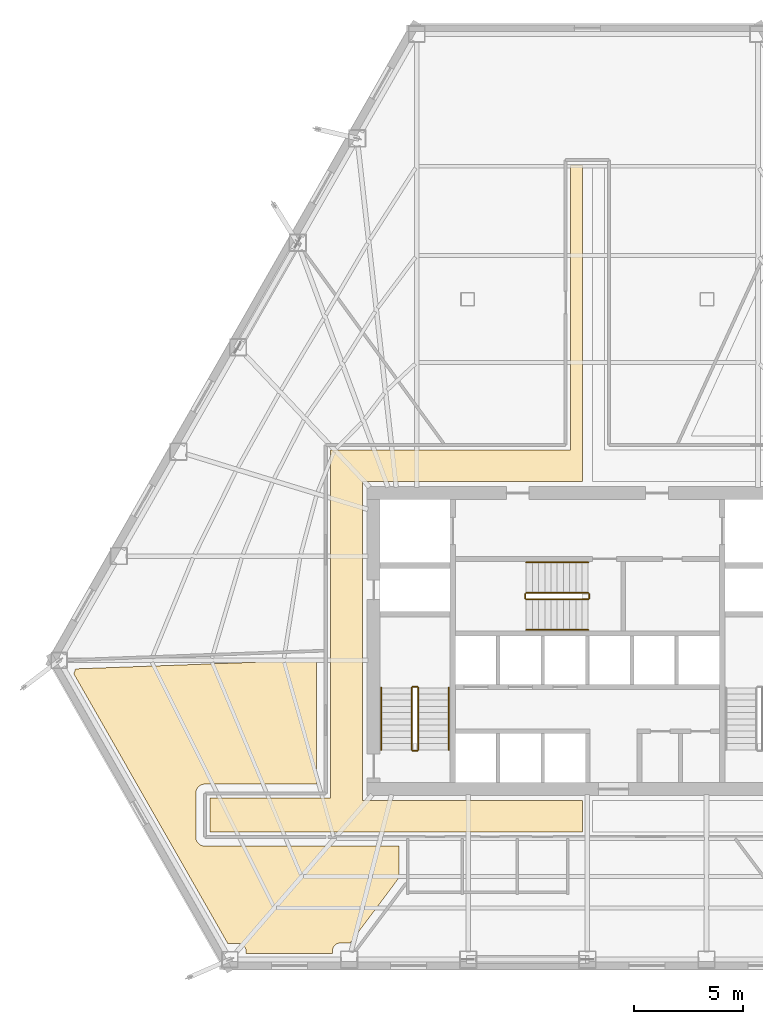
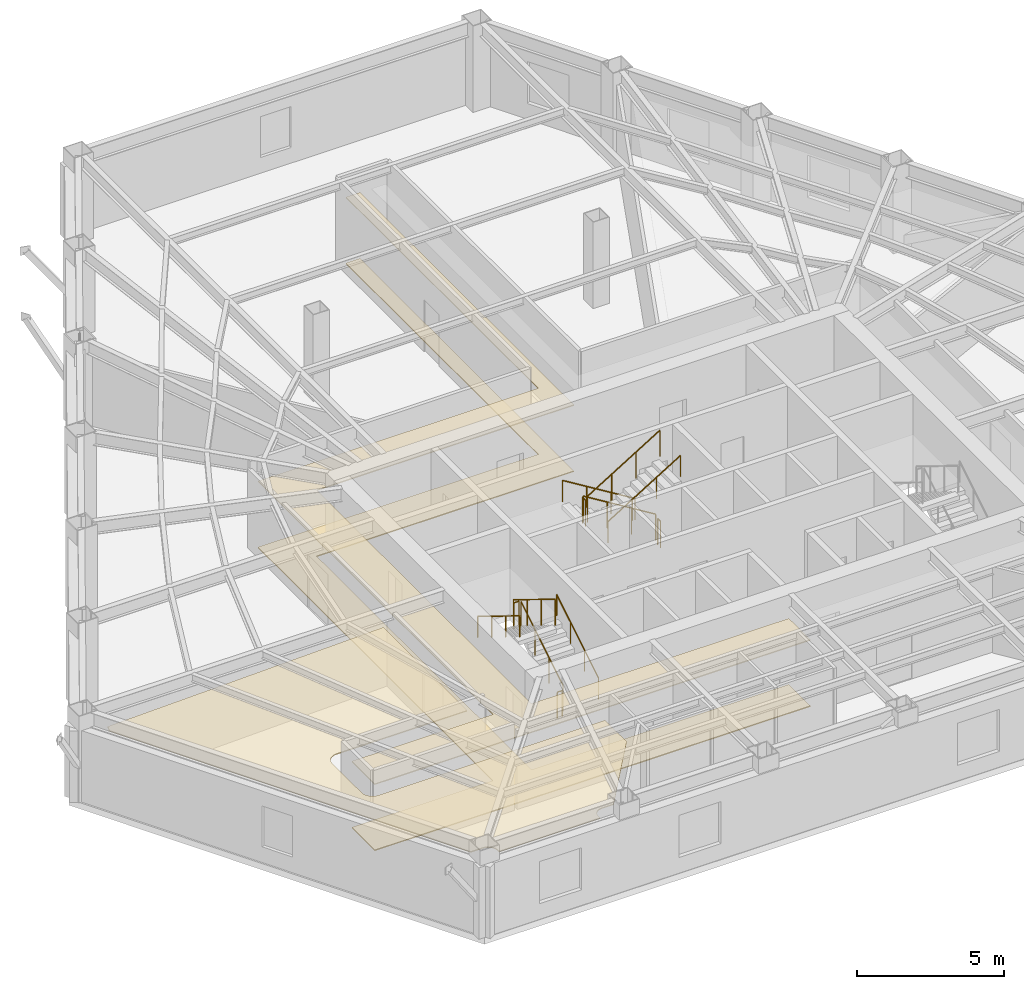
# One storey, part 11 of 12: 12 railings, 3 coverings.
"""IFC4 building model written with IfcOpenShell, lengths in metres."""

from ifc_helpers import new_model, si_unit, direction, frame, origin, origin_2d, place, context, subcontext, project, spatial, polyline, circle, outline, extrude, material, layer, layer_set, type_object, element, save


model = new_model("IFC4")

# Units and contexts
model_context = context("Model", 3, precision=1e-05, world=origin(), true_north=direction((0.0, 1.0)))
body_context = subcontext(model_context, "Body", "Model", "MODEL_VIEW")
ifc_project = project(units=[si_unit("LENGTHUNIT", "METRE"), si_unit("AREAUNIT", "SQUARE_METRE"), si_unit("VOLUMEUNIT", "CUBIC_METRE"), si_unit("PLANEANGLEUNIT", "RADIAN"), si_unit("MASSUNIT", "GRAM", prefix="KILO")], contexts=[model_context])

# Site, building, storey
site_placement = place(None, origin())
site = spatial("IfcSite", under=ifc_project, at=site_placement, CompositionType="ELEMENT")
building_placement = place(site_placement, origin())
building = spatial("IfcBuilding", under=site, at=building_placement, Name="Kavelnor Concourse Tower", CompositionType="ELEMENT")
storey_placement = place(building_placement, frame((0.0, 0.0, 29.10009765625)))
storey = spatial("IfcBuildingStorey", under=building, at=storey_placement, Name="L07", CompositionType="ELEMENT", Elevation=29.10009765625)

# Coverings
ifc_material_1 = material(Name="Mineral fibre acoustic ceiling tile")
ifc_layer_1 = layer(ifc_material_1, 0.0400390625, Name="Mineral fibre acoustic ceiling tile")
ifc_layer_set_1 = layer_set([ifc_layer_1], Name="Mineral fibre acoustic ceiling tile")
covering_type_1 = type_object("IfcCoveringType", Name="COV-CEILING-ACOUSTIC", PredefinedType="CEILING", material=ifc_layer_set_1)
covering_1_placement = place(storey_placement, frame((0.0, 0.0, 2.75)))
element("IfcCovering", 1, at=covering_1_placement, inside=storey, type_object=covering_type_1, Name="L07 Suspended Acoustic Ceiling", PredefinedType="CEILING", context=body_context, shape_type="SweptSolid", body=[
    extrude(outline(polyline([(37.219970703125, 37.97998046875), (37.77490234375, 37.97998046875), (37.77490234375, 23.419921875), (27.659912109375, 23.419921875), (27.659912109375, 8.780029296875), (37.77490234375, 8.780029296875), (37.77490234375, 7.320068359375), (20.650390625, 7.320068359375), (20.650390625, 8.8798828125), (26.199951171875, 8.8798828125), (26.199951171875, 24.8798828125), (37.219970703125, 24.8798828125), (37.219970703125, 37.97998046875)])), origin(), (0.0, 0.0, 1.0), 0.039794921875),
])
covering_2_placement = place(storey_placement, frame((0.0, 0.0, 2.75)))
element("IfcCovering", 2, at=covering_2_placement, inside=storey, type_object=covering_type_1, Name="L07 Suspended Acoustic Ceiling", PredefinedType="CEILING", context=body_context, shape_type="SweptSolid", body=[
    extrude(outline(polyline([(14.412353515625, 14.6259765625), (14.430419921875, 14.65625), (14.445556640625, 14.688232421875), (14.45751953125, 14.7216796875), (14.466064453125, 14.755859375), (14.47119140625, 14.791015625), (14.47265625, 14.81787109375), (14.47265625, 14.818115234375), (25.5576171875, 15.226318359375), (25.5576171875, 9.5224609375), (20.422119140625, 9.5224609375), (20.388916015625, 9.52099609375), (20.347900390625, 9.514892578125), (20.3076171875, 9.504638671875), (20.2685546875, 9.49072265625), (20.23095703125, 9.472900390625), (20.1953125, 9.45166015625), (20.162109375, 9.427001953125), (20.13134765625, 9.39892578125), (20.103515625, 9.368408203125), (20.07861328125, 9.3349609375), (20.057373046875, 9.29931640625), (20.03955078125, 9.26171875), (20.025634765625, 9.222900390625), (20.015380859375, 9.1826171875), (20.009521484375, 9.1416015625), (20.0078125, 9.1083984375), (20.0078125, 7.091796875), (20.009521484375, 7.05859375), (20.015380859375, 7.017578125), (20.025634765625, 6.977294921875), (20.03955078125, 6.938232421875), (20.057373046875, 6.900634765625), (20.07861328125, 6.864990234375), (20.103515625, 6.831787109375), (20.13134765625, 6.801025390625), (20.162109375, 6.773193359375), (20.1953125, 6.748291015625), (20.23095703125, 6.72705078125), (20.2685546875, 6.709228515625), (20.3076171875, 6.6953125), (20.347900390625, 6.685302734375), (20.388916015625, 6.67919921875), (20.422119140625, 6.677490234375), (25.98828125, 6.677490234375), (26.021484375, 6.67919921875), (26.030029296875, 6.680419921875), (26.03857421875, 6.67919921875), (26.07177734375, 6.677490234375), (29.3349609375, 6.677490234375), (29.3349609375, 5.208740234375), (27.1015625, 2.222900390625), (26.64306640625, 2.222900390625), (26.615966796875, 2.2216796875), (26.5810546875, 2.21630859375), (26.546630859375, 2.207763671875), (26.513427734375, 2.19580078125), (26.4814453125, 2.180908203125), (26.451171875, 2.16259765625), (26.422607421875, 2.1416015625), (26.396484375, 2.11767578125), (26.372802734375, 2.091552734375), (26.3515625, 2.06298828125), (26.33349609375, 2.03271484375), (26.318359375, 2.000732421875), (26.306396484375, 1.967529296875), (26.2978515625, 1.93310546875), (26.29248046875, 1.898193359375), (26.291259765625, 1.87109375), (26.291259765625, 1.742919921875), (22.31689453125, 1.742919921875), (22.31689453125, 1.851318359375), (22.315673828125, 1.878173828125), (22.310302734375, 1.9130859375), (22.3017578125, 1.947509765625), (22.289794921875, 1.980712890625), (22.27490234375, 2.0126953125), (22.256591796875, 2.043212890625), (22.235595703125, 2.071533203125), (22.211669921875, 2.09765625), (22.185546875, 2.12158203125), (22.156982421875, 2.142578125), (22.126708984375, 2.160888671875), (22.0947265625, 2.17578125), (22.0615234375, 2.187744140625), (22.027099609375, 2.1962890625), (21.9921875, 2.20166015625), (21.965087890625, 2.202880859375), (21.476806640625, 2.202880859375), (14.3974609375, 14.606201171875), (14.412353515625, 14.6259765625)])), origin(), (0.0, 0.0, 1.0), 0.039794921875),
])
ifc_material_2 = material(Name="Honed bluestone and raised access floor finish", Category="masonry")
ifc_layer_2 = layer(ifc_material_2, 0.0400390625, Name="Honed bluestone and raised access floor finish")
ifc_layer_set_2 = layer_set([ifc_layer_2], Name="Honed bluestone and raised access floor finish")
covering_type_2 = type_object("IfcCoveringType", Name="COV-FLOOR-STONE", PredefinedType="FLOORING", material=ifc_layer_set_2)
covering_3_placement = place(storey_placement, frame((0.0, 0.0, 0.001953125)))
element("IfcCovering", 3, at=covering_3_placement, inside=storey, type_object=covering_type_2, Name="L07 Honed Bluestone Floor Finish", PredefinedType="FLOORING", context=body_context, shape_type="SweptSolid", body=[
    extrude(outline(polyline([(37.219970703125, 37.97998046875), (37.77490234375, 37.97998046875), (37.77490234375, 23.419921875), (27.659912109375, 23.419921875), (27.659912109375, 8.780029296875), (37.77490234375, 8.780029296875), (37.77490234375, 7.320068359375), (20.650390625, 7.320068359375), (20.650390625, 8.8798828125), (26.199951171875, 8.8798828125), (26.199951171875, 24.8798828125), (37.219970703125, 24.8798828125), (37.219970703125, 37.97998046875)])), origin(), (0.0, 0.0, 1.0), 0.0400390625),
])

# Railings
ifc_material_3 = material(Name="Steel Grade 350", Category="steel")
railing_type_1 = type_object("IfcRailingType", Name="RLG-GUARD-1100", PredefinedType="GUARDRAIL", material=ifc_material_3)
railing_1_placement = place(storey_placement, frame((30.22998046875, 11.10009765625, 0.1748046875)))
element("IfcRailing", 4, at=railing_1_placement, inside=storey, type_object=railing_type_1, Name="L07 ST1 stair guard 1", PredefinedType="GUARDRAIL", context=body_context, shape_type="SweptSolid", body=[
    extrude(circle(Radius=0.02392578125, at=origin_2d()), frame((0.0, 0.0, 1.076171875), z_axis=(0.0, 0.852159232446, 0.523282564737), x_axis=(-1.0, 0.0, 0.0)), (0.0, 0.0, 1.0), 3.34423828125),
    extrude(circle(Radius=0.02099609375, at=origin_2d()), origin(), (0.0, 0.0, 1.0), 1.052001953125),
    extrude(circle(Radius=0.02099609375, at=origin_2d()), frame((0.0, 0.949951171875, 0.583251953125)), (0.0, 0.0, 1.0), 1.052001953125),
    extrude(circle(Radius=0.02099609375, at=origin_2d()), frame((0.0, 1.89990234375, 1.166748046875)), (0.0, 0.0, 1.0), 1.052001953125),
    extrude(circle(Radius=0.02099609375, at=origin_2d()), frame((0.0, 2.849853515625, 1.75)), (0.0, 0.0, 1.0), 1.052001953125),
])
railing_2_placement = place(storey_placement, frame((30.179931640625, 14.0, 1.9248046875)))
element("IfcRailing", 5, at=railing_2_placement, inside=storey, type_object=railing_type_1, Name="L07 ST1 stair guard 2", PredefinedType="GUARDRAIL", context=body_context, shape_type="SweptSolid", body=[
    extrude(circle(Radius=0.02392578125, at=origin_2d()), frame((0.0, 0.0, 1.076171875), z_axis=(-1.0, 0.0, 0.0), x_axis=(0.0, -1.0, 0.0)), (0.0, 0.0, 1.0), 0.199951171875),
    extrude(circle(Radius=0.02099609375, at=origin_2d()), origin(), (0.0, 0.0, 1.0), 1.052001953125),
    extrude(circle(Radius=0.02099609375, at=origin_2d()), frame((-0.199951171875, 0.0, 0.0)), (0.0, 0.0, 1.0), 1.052001953125),
])
railing_3_placement = place(storey_placement, frame((29.929931640625, 13.949951171875, 2.099853515625)))
element("IfcRailing", 6, at=railing_3_placement, inside=storey, type_object=railing_type_1, Name="L07 ST1 stair guard 3", PredefinedType="GUARDRAIL", context=body_context, shape_type="SweptSolid", body=[
    extrude(circle(Radius=0.02392578125, at=origin_2d()), frame((0.0, 0.0, 1.076171875), z_axis=(0.0, -0.852159232446, 0.523282564737), x_axis=(1.0, 0.0, 0.0)), (0.0, 0.0, 1.0), 3.34423828125),
    extrude(circle(Radius=0.02099609375, at=origin_2d()), origin(), (0.0, 0.0, 1.0), 1.052001953125),
    extrude(circle(Radius=0.02099609375, at=origin_2d()), frame((0.0, -0.949951171875, 0.583251953125)), (0.0, 0.0, 1.0), 1.052001953125),
    extrude(circle(Radius=0.02099609375, at=origin_2d()), frame((0.0, -1.89990234375, 1.166748046875)), (0.0, 0.0, 1.0), 1.052001953125),
    extrude(circle(Radius=0.02099609375, at=origin_2d()), frame((0.0, -2.849853515625, 1.75)), (0.0, 0.0, 1.0), 1.052001953125),
])
railing_4_placement = place(storey_placement, frame((30.179931640625, 11.050048828125, 0.0)))
element("IfcRailing", 7, at=railing_4_placement, inside=storey, type_object=railing_type_1, Name="L07 ST1 stair guard 4", PredefinedType="GUARDRAIL", context=body_context, shape_type="SweptSolid", body=[
    extrude(circle(Radius=0.02392578125, at=origin_2d()), frame((0.0, 0.0, 1.076171875), z_axis=(-1.0, 0.0, 0.0), x_axis=(0.0, -1.0, 0.0)), (0.0, 0.0, 1.0), 0.199951171875),
    extrude(circle(Radius=0.02099609375, at=origin_2d()), origin(), (0.0, 0.0, 1.0), 1.052001953125),
    extrude(circle(Radius=0.02099609375, at=origin_2d()), frame((-0.199951171875, 0.0, 0.0)), (0.0, 0.0, 1.0), 1.052001953125),
])
railing_5_placement = place(storey_placement, frame((38.0400390625, 18.31005859375, 0.1748046875)))
element("IfcRailing", 8, at=railing_5_placement, inside=storey, type_object=railing_type_1, Name="L07 ST3 stair guard 1", PredefinedType="GUARDRAIL", context=body_context, shape_type="SweptSolid", body=[
    extrude(circle(Radius=0.02392578125, at=origin_2d()), frame((0.0, 0.0, 1.076171875), z_axis=(-0.852179220489, 0.0, 0.52325001306), x_axis=(0.0, -1.0, 0.0)), (0.0, 0.0, 1.0), 3.344482421875),
    extrude(circle(Radius=0.02099609375, at=origin_2d()), origin(), (0.0, 0.0, 1.0), 1.052001953125),
    extrude(circle(Radius=0.02099609375, at=origin_2d()), frame((-0.949951171875, 0.0, 0.583251953125)), (0.0, 0.0, 1.0), 1.052001953125),
    extrude(circle(Radius=0.02099609375, at=origin_2d()), frame((-1.900146484375, 0.0, 1.166748046875)), (0.0, 0.0, 1.0), 1.052001953125),
    extrude(circle(Radius=0.02099609375, at=origin_2d()), frame((-2.85009765625, 0.0, 1.75)), (0.0, 0.0, 1.0), 1.052001953125),
])
railing_6_placement = place(storey_placement, frame((35.139892578125, 18.260009765625, 1.9248046875)))
element("IfcRailing", 9, at=railing_6_placement, inside=storey, type_object=railing_type_1, Name="L07 ST3 stair guard 2", PredefinedType="GUARDRAIL", context=body_context, shape_type="SweptSolid", body=[
    extrude(circle(Radius=0.02392578125, at=origin_2d()), frame((0.0, 0.0, 1.076171875), z_axis=(0.0, -1.0, 0.0), x_axis=(1.0, 0.0, 0.0)), (0.0, 0.0, 1.0), 0.199951171875),
    extrude(circle(Radius=0.02099609375, at=origin_2d()), origin(), (0.0, 0.0, 1.0), 1.052001953125),
    extrude(circle(Radius=0.02099609375, at=origin_2d()), frame((0.0, -0.199951171875, 0.0)), (0.0, 0.0, 1.0), 1.052001953125),
])
railing_7_placement = place(storey_placement, frame((35.18994140625, 18.010009765625, 2.099853515625)))
element("IfcRailing", 10, at=railing_7_placement, inside=storey, type_object=railing_type_1, Name="L07 ST3 stair guard 3", PredefinedType="GUARDRAIL", context=body_context, shape_type="SweptSolid", body=[
    extrude(circle(Radius=0.02392578125, at=origin_2d()), frame((0.0, 0.0, 1.076171875), z_axis=(0.852179220489, 0.0, 0.52325001306), x_axis=(0.0, 1.0, 0.0)), (0.0, 0.0, 1.0), 3.344482421875),
    extrude(circle(Radius=0.02099609375, at=origin_2d()), origin(), (0.0, 0.0, 1.0), 1.052001953125),
    extrude(circle(Radius=0.02099609375, at=origin_2d()), frame((0.949951171875, 0.0, 0.583251953125)), (0.0, 0.0, 1.0), 1.052001953125),
    extrude(circle(Radius=0.02099609375, at=origin_2d()), frame((1.900146484375, 0.0, 1.166748046875)), (0.0, 0.0, 1.0), 1.052001953125),
    extrude(circle(Radius=0.02099609375, at=origin_2d()), frame((2.85009765625, 0.0, 1.75)), (0.0, 0.0, 1.0), 1.052001953125),
])
railing_8_placement = place(storey_placement, frame((38.090087890625, 18.260009765625, 0.0)))
element("IfcRailing", 11, at=railing_8_placement, inside=storey, type_object=railing_type_1, Name="L07 ST3 stair guard 4", PredefinedType="GUARDRAIL", context=body_context, shape_type="SweptSolid", body=[
    extrude(circle(Radius=0.02392578125, at=origin_2d()), frame((0.0, 0.0, 1.076171875), z_axis=(0.0, -1.0, 0.0), x_axis=(1.0, 0.0, 0.0)), (0.0, 0.0, 1.0), 0.199951171875),
    extrude(circle(Radius=0.02099609375, at=origin_2d()), origin(), (0.0, 0.0, 1.0), 1.052001953125),
    extrude(circle(Radius=0.02099609375, at=origin_2d()), frame((0.0, -0.199951171875, 0.0)), (0.0, 0.0, 1.0), 1.052001953125),
])
railing_type_2 = type_object("IfcRailingType", Name="RLG-HANDRAIL-900", PredefinedType="HANDRAIL", material=ifc_material_3)
railing_9_placement = place(storey_placement, frame((31.6298828125, 11.10009765625, 0.1748046875)))
element("IfcRailing", 12, at=railing_9_placement, inside=storey, type_object=railing_type_2, Name="L07 ST1 stair handrail 1", PredefinedType="HANDRAIL", context=body_context, shape_type="SweptSolid", body=[
    extrude(circle(Radius=0.02392578125, at=origin_2d()), frame((0.0, 0.0, 0.8759765625), z_axis=(0.0, 0.852159232446, 0.523282564737), x_axis=(-1.0, 0.0, 0.0)), (0.0, 0.0, 1.0), 3.34423828125),
    extrude(circle(Radius=0.02099609375, at=origin_2d()), origin(), (0.0, 0.0, 1.0), 0.851806640625),
    extrude(circle(Radius=0.02099609375, at=origin_2d()), frame((0.0, 0.949951171875, 0.583251953125)), (0.0, 0.0, 1.0), 0.851806640625),
    extrude(circle(Radius=0.02099609375, at=origin_2d()), frame((0.0, 1.89990234375, 1.166748046875)), (0.0, 0.0, 1.0), 0.851806640625),
    extrude(circle(Radius=0.02099609375, at=origin_2d()), frame((0.0, 2.849853515625, 1.75)), (0.0, 0.0, 1.0), 0.851806640625),
])
railing_10_placement = place(storey_placement, frame((28.530029296875, 13.949951171875, 2.099853515625)))
element("IfcRailing", 13, at=railing_10_placement, inside=storey, type_object=railing_type_2, Name="L07 ST1 stair handrail 2", PredefinedType="HANDRAIL", context=body_context, shape_type="SweptSolid", body=[
    extrude(circle(Radius=0.02392578125, at=origin_2d()), frame((0.0, 0.0, 0.8759765625), z_axis=(0.0, -0.852159232446, 0.523282564737), x_axis=(1.0, 0.0, 0.0)), (0.0, 0.0, 1.0), 3.34423828125),
    extrude(circle(Radius=0.02099609375, at=origin_2d()), origin(), (0.0, 0.0, 1.0), 0.851806640625),
    extrude(circle(Radius=0.02099609375, at=origin_2d()), frame((0.0, -0.949951171875, 0.583251953125)), (0.0, 0.0, 1.0), 0.851806640625),
    extrude(circle(Radius=0.02099609375, at=origin_2d()), frame((0.0, -1.89990234375, 1.166748046875)), (0.0, 0.0, 1.0), 0.851806640625),
    extrude(circle(Radius=0.02099609375, at=origin_2d()), frame((0.0, -2.849853515625, 1.75)), (0.0, 0.0, 1.0), 0.851806640625),
])
railing_11_placement = place(storey_placement, frame((38.0400390625, 19.7099609375, 0.1748046875)))
element("IfcRailing", 14, at=railing_11_placement, inside=storey, type_object=railing_type_2, Name="L07 ST3 stair handrail 1", PredefinedType="HANDRAIL", context=body_context, shape_type="SweptSolid", body=[
    extrude(circle(Radius=0.02392578125, at=origin_2d()), frame((0.0, 0.0, 0.8759765625), z_axis=(-0.852179220489, 0.0, 0.52325001306), x_axis=(0.0, -1.0, 0.0)), (0.0, 0.0, 1.0), 3.344482421875),
    extrude(circle(Radius=0.02099609375, at=origin_2d()), origin(), (0.0, 0.0, 1.0), 0.851806640625),
    extrude(circle(Radius=0.02099609375, at=origin_2d()), frame((-0.949951171875, 0.0, 0.583251953125)), (0.0, 0.0, 1.0), 0.851806640625),
    extrude(circle(Radius=0.02099609375, at=origin_2d()), frame((-1.900146484375, 0.0, 1.166748046875)), (0.0, 0.0, 1.0), 0.851806640625),
    extrude(circle(Radius=0.02099609375, at=origin_2d()), frame((-2.85009765625, 0.0, 1.75)), (0.0, 0.0, 1.0), 0.851806640625),
])
railing_12_placement = place(storey_placement, frame((35.18994140625, 16.610107421875, 2.099853515625)))
element("IfcRailing", 15, at=railing_12_placement, inside=storey, type_object=railing_type_2, Name="L07 ST3 stair handrail 2", PredefinedType="HANDRAIL", context=body_context, shape_type="SweptSolid", body=[
    extrude(circle(Radius=0.02392578125, at=origin_2d()), frame((0.0, 0.0, 0.8759765625), z_axis=(0.852179220489, 0.0, 0.52325001306), x_axis=(0.0, 1.0, 0.0)), (0.0, 0.0, 1.0), 3.344482421875),
    extrude(circle(Radius=0.02099609375, at=origin_2d()), origin(), (0.0, 0.0, 1.0), 0.851806640625),
    extrude(circle(Radius=0.02099609375, at=origin_2d()), frame((0.949951171875, 0.0, 0.583251953125)), (0.0, 0.0, 1.0), 0.851806640625),
    extrude(circle(Radius=0.02099609375, at=origin_2d()), frame((1.900146484375, 0.0, 1.166748046875)), (0.0, 0.0, 1.0), 0.851806640625),
    extrude(circle(Radius=0.02099609375, at=origin_2d()), frame((2.85009765625, 0.0, 1.75)), (0.0, 0.0, 1.0), 0.851806640625),
])

save(model, "model.ifc")
